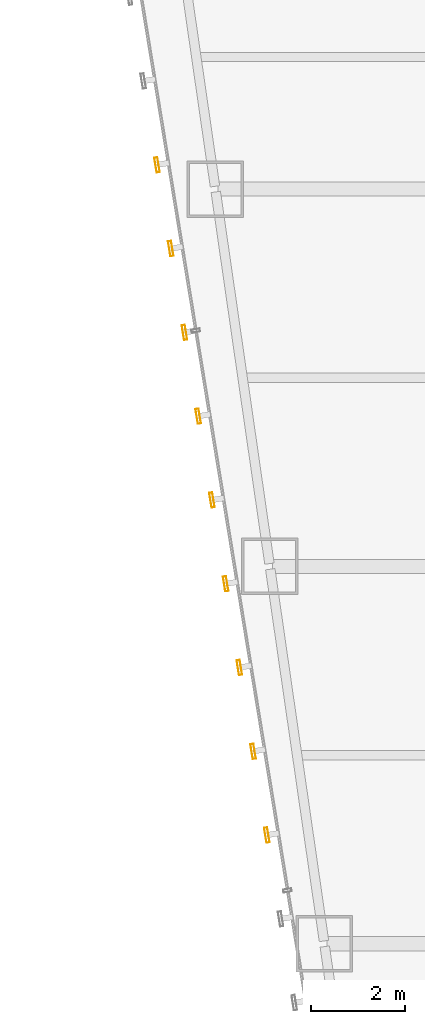
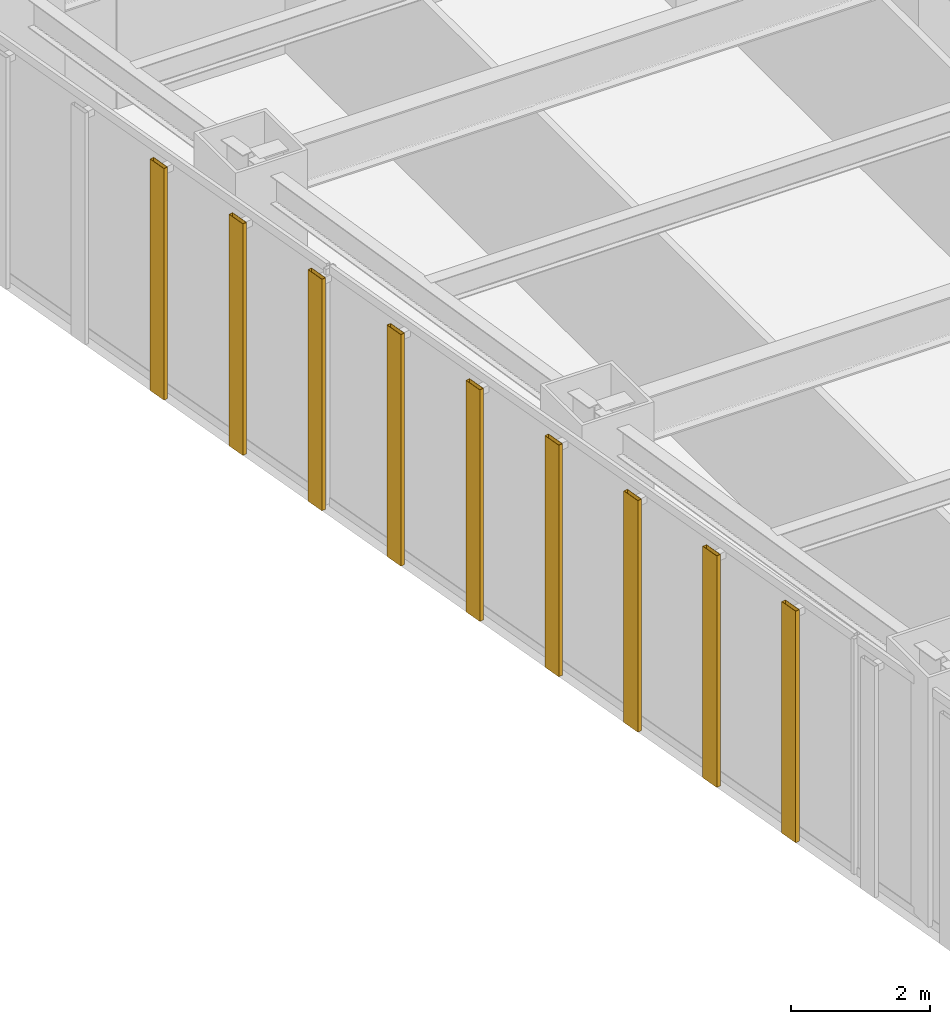
# One storey, part 43 of 47: 9 shading devices.
"""IFC4 building model written with IfcOpenShell, lengths in metres."""

from ifc_helpers import new_model, si_unit, direction, frame, origin, origin_2d, place, context, subcontext, project, spatial, hollow_rectangle, extrude, material, material_profile, profile_set, type_object, element, save


model = new_model("IFC4")

# Units and contexts
model_context = context("Model", 3, precision=1e-05, world=origin(), true_north=direction((0.0, 1.0)))
body_context = subcontext(model_context, "Body", "Model", "MODEL_VIEW")
ifc_project = project(units=[si_unit("LENGTHUNIT", "METRE"), si_unit("AREAUNIT", "SQUARE_METRE"), si_unit("VOLUMEUNIT", "CUBIC_METRE"), si_unit("PLANEANGLEUNIT", "RADIAN"), si_unit("MASSUNIT", "GRAM", prefix="KILO")], contexts=[model_context])

# Site, building, storey
site_placement = place(None, origin())
site = spatial("IfcSite", under=ifc_project, at=site_placement, CompositionType="ELEMENT")
building_placement = place(site_placement, origin())
building = spatial("IfcBuilding", under=site, at=building_placement, Name="Saevonmaru Cultural Tower", CompositionType="ELEMENT")
storey_placement = place(building_placement, frame((0.0, 0.0, 42.800048828125)))
storey = spatial("IfcBuildingStorey", under=building, at=storey_placement, Name="L08", CompositionType="ELEMENT", Elevation=42.800048828125)

# Shading devices
ifc_material = material(Name="Satin Bronze Anodised Aluminium", Category="aluminium")
ifc_material_profile = material_profile(ifc_material, hollow_rectangle(XDim=0.070068359375, YDim=0.320068359375, WallThickness=0.0048828125, at=origin_2d()), Name="FIN-320x70")
ifc_profile_set = profile_set([ifc_material_profile], Name="Satin Bronze Anodised Aluminium")
shading_device_type = type_object("IfcShadingDeviceType", Name="SHD-FIN-320", PredefinedType="JALOUSIE", material=ifc_profile_set)
for number, where, z_axis, x_axis, name in (
    (1, (7.0810546875, 32.513916015625, 0.050048828125), (0.0, 0.0, 1.0), (-0.986827496189, -0.161776057456, 0.0), "L08 Art Deco Sawtooth Bronze Fin E12-12"),
    (2, (7.3720703125, 30.737548828125, 0.050048828125), (0.0, 0.0, 1.0), (-0.986827496189, -0.161776057456, 0.0), "L08 Art Deco Sawtooth Bronze Fin E12-13"),
    (3, (7.6630859375, 28.961181640625, 0.050048828125), (0.0, 0.0, 1.0), (-0.986827496189, -0.161776057456, 0.0), "L08 Art Deco Sawtooth Bronze Fin E12-14"),
    (4, (7.9541015625, 27.184814453125, 0.050048828125), (0.0, 0.0, 1.0), (-0.986827496189, -0.161776057456, 0.0), "L08 Art Deco Sawtooth Bronze Fin E12-15"),
    (5, (8.245361328125, 25.40869140625, 0.050048828125), (0.0, 0.0, 1.0), (-0.986827496189, -0.161776057456, 0.0), "L08 Art Deco Sawtooth Bronze Fin E12-16"),
    (6, (8.536376953125, 23.63232421875, 0.050048828125), (0.0, 0.0, 1.0), (-0.986827496189, -0.161776057456, 0.0), "L08 Art Deco Sawtooth Bronze Fin E12-17"),
    (7, (8.827392578125, 21.85595703125, 0.050048828125), (0.0, 0.0, 1.0), (-0.986827496189, -0.161776057456, 0.0), "L08 Art Deco Sawtooth Bronze Fin E12-18"),
    (8, (9.118408203125, 20.07958984375, 0.050048828125), (0.0, 0.0, 1.0), (-0.986827496189, -0.161776057456, 0.0), "L08 Art Deco Sawtooth Bronze Fin E12-19"),
    (9, (9.40966796875, 18.30322265625, 0.050048828125), (0.0, 0.0, 1.0), (-0.986827496189, -0.161776057456, 0.0), "L08 Art Deco Sawtooth Bronze Fin E12-20"),
):
    element("IfcShadingDevice", number, at=place(storey_placement, frame(where, z_axis=z_axis, x_axis=x_axis)), inside=storey, type_object=shading_device_type, Name=name, PredefinedType="JALOUSIE", context=body_context, shape_type="SweptSolid", body=[
        extrude(hollow_rectangle(XDim=0.070068359375, YDim=0.320068359375, WallThickness=0.0048828125, at=origin_2d()), origin(), (0.0, 0.0, 1.0), 4.079833984375),
    ])

save(model, "model.ifc")
